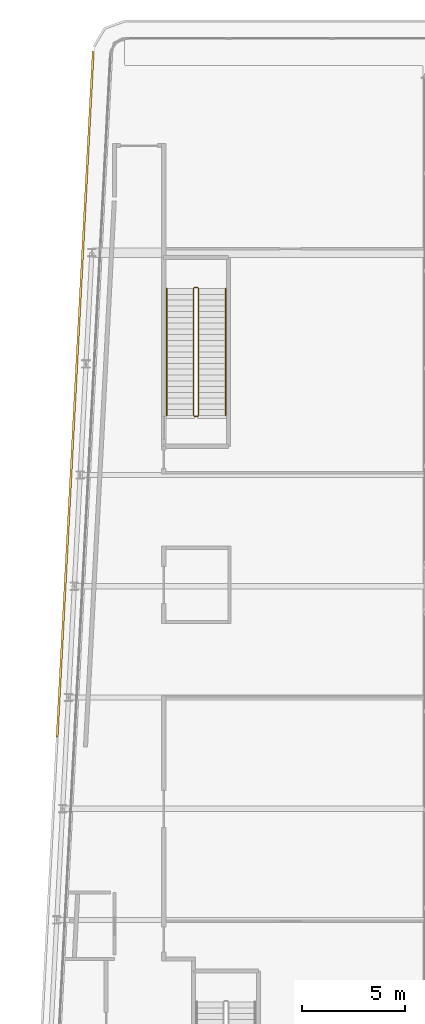
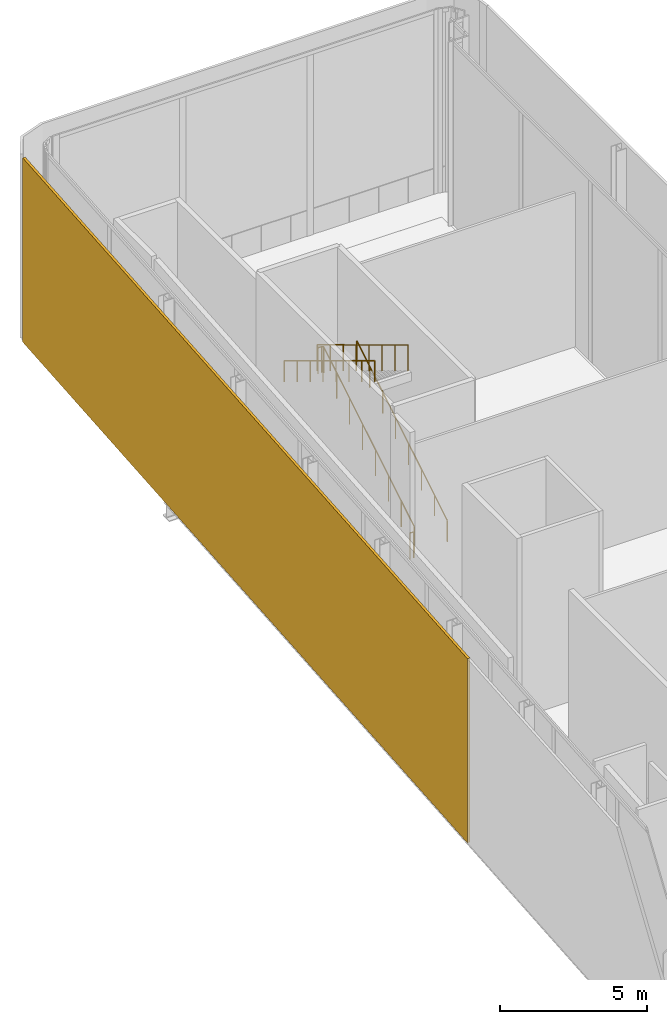
# One storey, part 26 of 27: 4 railings, 1 shading device.
"""IFC4 building model written with IfcOpenShell, lengths in metres."""

from ifc_helpers import new_model, si_unit, direction, frame, origin, origin_2d, place, context, subcontext, project, spatial, rectangle, circle, extrude, material, layer, layer_set, type_object, element, save


model = new_model("IFC4")

# Units and contexts
model_context = context("Model", 3, precision=1e-05, world=origin(), true_north=direction((0.0, 1.0)))
body_context = subcontext(model_context, "Body", "Model", "MODEL_VIEW")
ifc_project = project(units=[si_unit("LENGTHUNIT", "METRE"), si_unit("AREAUNIT", "SQUARE_METRE"), si_unit("VOLUMEUNIT", "CUBIC_METRE"), si_unit("PLANEANGLEUNIT", "RADIAN"), si_unit("MASSUNIT", "GRAM", prefix="KILO")], contexts=[model_context])

# Site, building, storey
site_placement = place(None, origin())
site = spatial("IfcSite", under=ifc_project, at=site_placement, CompositionType="ELEMENT")
building_placement = place(site_placement, origin())
building = spatial("IfcBuilding", under=site, at=building_placement, Name="Kheshtan School and Residences Tower", CompositionType="ELEMENT")
storey_placement = place(building_placement, frame((0.0, 0.0, 266.89990234375)))
storey = spatial("IfcBuildingStorey", under=building, at=storey_placement, Name="L63", CompositionType="ELEMENT", Elevation=266.89990234375)

# Shading device
ifc_material_1 = material(Name="Terracotta baguette, extruded ceramic", Category="masonry")
ifc_layer = layer(ifc_material_1, 0.10009765625)
ifc_layer_set = layer_set([ifc_layer], Name="Ledge screen, terracotta baguettes")
shading_device_type = type_object("IfcShadingDeviceType", Name="Ledge screen, terracotta baguettes", PredefinedType="USERDEFINED", material=ifc_layer_set)
shading_device_placement = place(storey_placement, frame((28.9990234375, 81.93408203125, 0.000244140625), z_axis=(0.0, 0.0, 1.0), x_axis=(0.052562536748, 0.998617634398, 0.0)))
element("IfcShadingDevice", 1, at=shading_device_placement, inside=storey, type_object=shading_device_type, Name="Screen L63 7", ObjectType="BAGUETTE", PredefinedType="USERDEFINED", context=body_context, shape_type="SweptSolid", body=[
    extrude(rectangle(XDim=33.341064453125, YDim=0.10009765625, at=origin_2d()), origin(), (0.0, 0.0, 1.0), 7.64990234375),
])

# Railings
ifc_material_2 = material(Name="Stainless steel balustrade", Category="steel")
railing_type_1 = type_object("IfcRailingType", Name="Stair guard 1100", PredefinedType="GUARDRAIL", material=ifc_material_2)
railing_1_placement = place(storey_placement, frame((35.0, 80.89990234375, 0.169677734375)))
element("IfcRailing", 2, at=railing_1_placement, inside=storey, type_object=railing_type_1, Name="L63 ST3 stair guard 1", PredefinedType="GUARDRAIL", context=body_context, shape_type="SweptSolid", body=[
    extrude(circle(Radius=0.02392578125, at=origin_2d()), frame((0.0, 0.0, 1.076171875), z_axis=(0.0, 0.855379917629, 0.518001154937), x_axis=(-1.0, 0.0, 0.0)), (0.0, 0.0, 1.0), 7.20166015625),
    extrude(circle(Radius=0.02392578125, at=origin_2d()), frame((0.0, 6.16015625, 4.806640625), z_axis=(-0.707106781187, 0.707106781187, 0.0), x_axis=(-0.707106781187, -0.707106781187, 0.0)), (0.0, 0.0, 1.0), 0.07080078125),
    extrude(circle(Radius=0.02392578125, at=origin_2d()), frame((-0.050048828125, 6.210205078125, 4.806640625), z_axis=(-1.0, 0.0, 0.0), x_axis=(0.0, -1.0, 0.0)), (0.0, 0.0, 1.0), 0.14990234375),
    extrude(circle(Radius=0.02392578125, at=origin_2d()), frame((-0.199951171875, 6.210205078125, 4.806640625), z_axis=(-0.272562526181, -0.272562526181, 0.92272386912), x_axis=(0.707106781187, -0.707106781187, 0.0)), (0.0, 0.0, 1.0), 0.18359375),
    extrude(circle(Radius=0.02392578125, at=origin_2d()), frame((-0.25, 6.16015625, 4.97607421875), z_axis=(0.0, -0.855379917629, 0.518001154937), x_axis=(1.0, 0.0, 0.0)), (0.0, 0.0, 1.0), 7.20166015625),
    extrude(circle(Radius=0.02099609375, at=origin_2d()), origin(), (0.0, 0.0, 1.0), 1.052001953125),
    extrude(circle(Radius=0.02099609375, at=origin_2d()), frame((0.0, 0.880126953125, 0.532958984375)), (0.0, 0.0, 1.0), 1.052001953125),
    extrude(circle(Radius=0.02099609375, at=origin_2d()), frame((0.0, 1.760009765625, 1.06591796875)), (0.0, 0.0, 1.0), 1.052001953125),
    extrude(circle(Radius=0.02099609375, at=origin_2d()), frame((0.0, 2.64013671875, 1.598876953125)), (0.0, 0.0, 1.0), 1.052001953125),
    extrude(circle(Radius=0.02099609375, at=origin_2d()), frame((0.0, 3.52001953125, 2.131591796875)), (0.0, 0.0, 1.0), 1.052001953125),
    extrude(circle(Radius=0.02099609375, at=origin_2d()), frame((0.0, 4.400146484375, 2.66455078125)), (0.0, 0.0, 1.0), 1.052001953125),
    extrude(circle(Radius=0.02099609375, at=origin_2d()), frame((0.0, 5.280029296875, 3.197509765625)), (0.0, 0.0, 1.0), 1.052001953125),
    extrude(circle(Radius=0.02099609375, at=origin_2d()), frame((0.0, 6.16015625, 3.73046875)), (0.0, 0.0, 1.0), 1.052001953125),
    extrude(circle(Radius=0.02099609375, at=origin_2d()), frame((-0.050048828125, 6.210205078125, 3.73046875)), (0.0, 0.0, 1.0), 1.052001953125),
    extrude(circle(Radius=0.02099609375, at=origin_2d()), frame((-0.199951171875, 6.210205078125, 3.73046875)), (0.0, 0.0, 1.0), 1.052001953125),
    extrude(circle(Radius=0.02099609375, at=origin_2d()), frame((-0.25, 6.16015625, 3.89990234375)), (0.0, 0.0, 1.0), 1.052001953125),
    extrude(circle(Radius=0.02099609375, at=origin_2d()), frame((-0.25, 5.280029296875, 4.432861328125)), (0.0, 0.0, 1.0), 1.052001953125),
    extrude(circle(Radius=0.02099609375, at=origin_2d()), frame((-0.25, 4.400146484375, 4.9658203125)), (0.0, 0.0, 1.0), 1.052001953125),
    extrude(circle(Radius=0.02099609375, at=origin_2d()), frame((-0.25, 3.52001953125, 5.498779296875)), (0.0, 0.0, 1.0), 1.052001953125),
    extrude(circle(Radius=0.02099609375, at=origin_2d()), frame((-0.25, 2.64013671875, 6.031494140625)), (0.0, 0.0, 1.0), 1.052001953125),
    extrude(circle(Radius=0.02099609375, at=origin_2d()), frame((-0.25, 1.760009765625, 6.564453125)), (0.0, 0.0, 1.0), 1.052001953125),
    extrude(circle(Radius=0.02099609375, at=origin_2d()), frame((-0.25, 0.880126953125, 7.097412109375)), (0.0, 0.0, 1.0), 1.052001953125),
    extrude(circle(Radius=0.02099609375, at=origin_2d()), frame((-0.25, 0.0, 7.63037109375)), (0.0, 0.0, 1.0), 1.052001953125),
])
railing_2_placement = place(storey_placement, frame((34.949951171875, 80.85009765625, 0.0)))
element("IfcRailing", 3, at=railing_2_placement, inside=storey, type_object=railing_type_1, Name="L63 ST3 stair guard 2", PredefinedType="GUARDRAIL", context=body_context, shape_type="SweptSolid", body=[
    extrude(circle(Radius=0.02392578125, at=origin_2d()), frame((0.0, 0.0, 1.076171875), z_axis=(-1.0, 0.0, 0.0), x_axis=(0.0, -1.0, 0.0)), (0.0, 0.0, 1.0), 0.14990234375),
    extrude(circle(Radius=0.02099609375, at=origin_2d()), origin(), (0.0, 0.0, 1.0), 1.052001953125),
    extrude(circle(Radius=0.02099609375, at=origin_2d()), frame((-0.14990234375, 0.0, 0.0)), (0.0, 0.0, 1.0), 1.052001953125),
])
ifc_material_3 = material(Name="Stainless steel handrail", Category="steel")
railing_type_2 = type_object("IfcRailingType", Name="Stair handrail 900", PredefinedType="HANDRAIL", material=ifc_material_3)
railing_3_placement = place(storey_placement, frame((36.300048828125, 80.89990234375, 0.169677734375)))
element("IfcRailing", 4, at=railing_3_placement, inside=storey, type_object=railing_type_2, Name="L63 ST3 stair handrail 1", PredefinedType="HANDRAIL", context=body_context, shape_type="SweptSolid", body=[
    extrude(circle(Radius=0.02392578125, at=origin_2d()), frame((0.0, 0.0, 0.8759765625), z_axis=(0.0, 0.855379917629, 0.518001154937), x_axis=(-1.0, 0.0, 0.0)), (0.0, 0.0, 1.0), 7.20166015625),
    extrude(circle(Radius=0.02099609375, at=origin_2d()), origin(), (0.0, 0.0, 1.0), 0.851806640625),
    extrude(circle(Radius=0.02099609375, at=origin_2d()), frame((0.0, 0.880126953125, 0.532958984375)), (0.0, 0.0, 1.0), 0.851806640625),
    extrude(circle(Radius=0.02099609375, at=origin_2d()), frame((0.0, 1.760009765625, 1.06591796875)), (0.0, 0.0, 1.0), 0.851806640625),
    extrude(circle(Radius=0.02099609375, at=origin_2d()), frame((0.0, 2.64013671875, 1.598876953125)), (0.0, 0.0, 1.0), 0.851806640625),
    extrude(circle(Radius=0.02099609375, at=origin_2d()), frame((0.0, 3.52001953125, 2.131591796875)), (0.0, 0.0, 1.0), 0.851806640625),
    extrude(circle(Radius=0.02099609375, at=origin_2d()), frame((0.0, 4.400146484375, 2.66455078125)), (0.0, 0.0, 1.0), 0.851806640625),
    extrude(circle(Radius=0.02099609375, at=origin_2d()), frame((0.0, 5.280029296875, 3.197509765625)), (0.0, 0.0, 1.0), 0.851806640625),
    extrude(circle(Radius=0.02099609375, at=origin_2d()), frame((0.0, 6.16015625, 3.73046875)), (0.0, 0.0, 1.0), 0.851806640625),
])
railing_4_placement = place(storey_placement, frame((33.449951171875, 87.06005859375, 4.069580078125)))
element("IfcRailing", 5, at=railing_4_placement, inside=storey, type_object=railing_type_2, Name="L63 ST3 stair handrail 2", PredefinedType="HANDRAIL", context=body_context, shape_type="SweptSolid", body=[
    extrude(circle(Radius=0.02392578125, at=origin_2d()), frame((0.0, 0.0, 0.8759765625), z_axis=(0.0, -0.855379917629, 0.518001154937), x_axis=(1.0, 0.0, 0.0)), (0.0, 0.0, 1.0), 7.20166015625),
    extrude(circle(Radius=0.02099609375, at=origin_2d()), origin(), (0.0, 0.0, 1.0), 0.851806640625),
    extrude(circle(Radius=0.02099609375, at=origin_2d()), frame((0.0, -0.880126953125, 0.532958984375)), (0.0, 0.0, 1.0), 0.851806640625),
    extrude(circle(Radius=0.02099609375, at=origin_2d()), frame((0.0, -1.760009765625, 1.06591796875)), (0.0, 0.0, 1.0), 0.851806640625),
    extrude(circle(Radius=0.02099609375, at=origin_2d()), frame((0.0, -2.64013671875, 1.598876953125)), (0.0, 0.0, 1.0), 0.851806640625),
    extrude(circle(Radius=0.02099609375, at=origin_2d()), frame((0.0, -3.52001953125, 2.131591796875)), (0.0, 0.0, 1.0), 0.851806640625),
    extrude(circle(Radius=0.02099609375, at=origin_2d()), frame((0.0, -4.400146484375, 2.66455078125)), (0.0, 0.0, 1.0), 0.851806640625),
    extrude(circle(Radius=0.02099609375, at=origin_2d()), frame((0.0, -5.280029296875, 3.197509765625)), (0.0, 0.0, 1.0), 0.851806640625),
    extrude(circle(Radius=0.02099609375, at=origin_2d()), frame((0.0, -6.16015625, 3.73046875)), (0.0, 0.0, 1.0), 0.851806640625),
])

save(model, "model.ifc")
